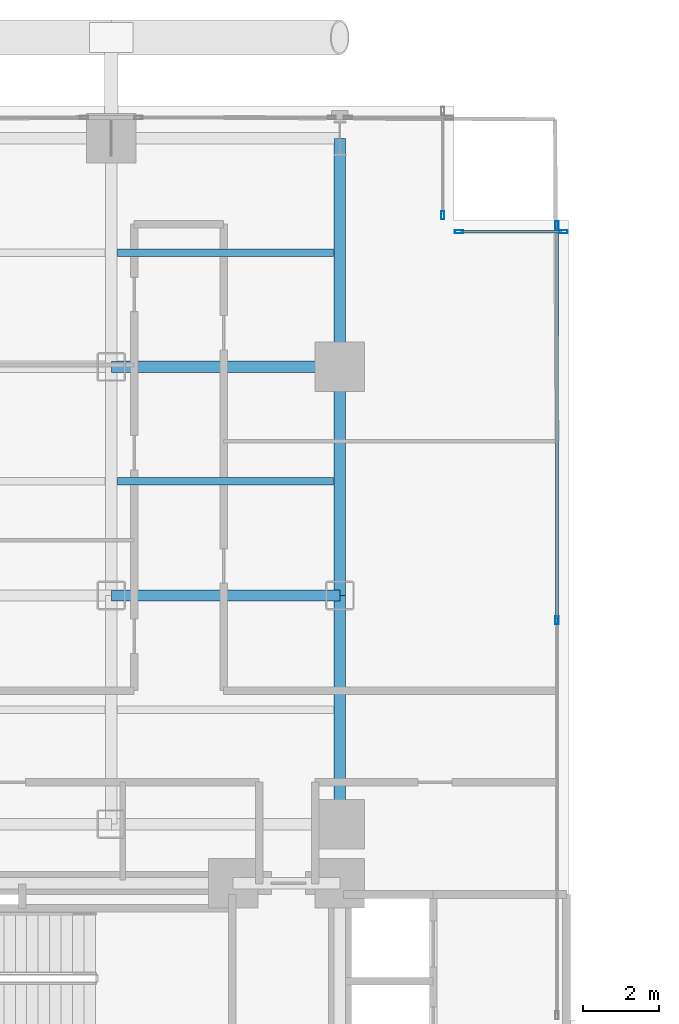
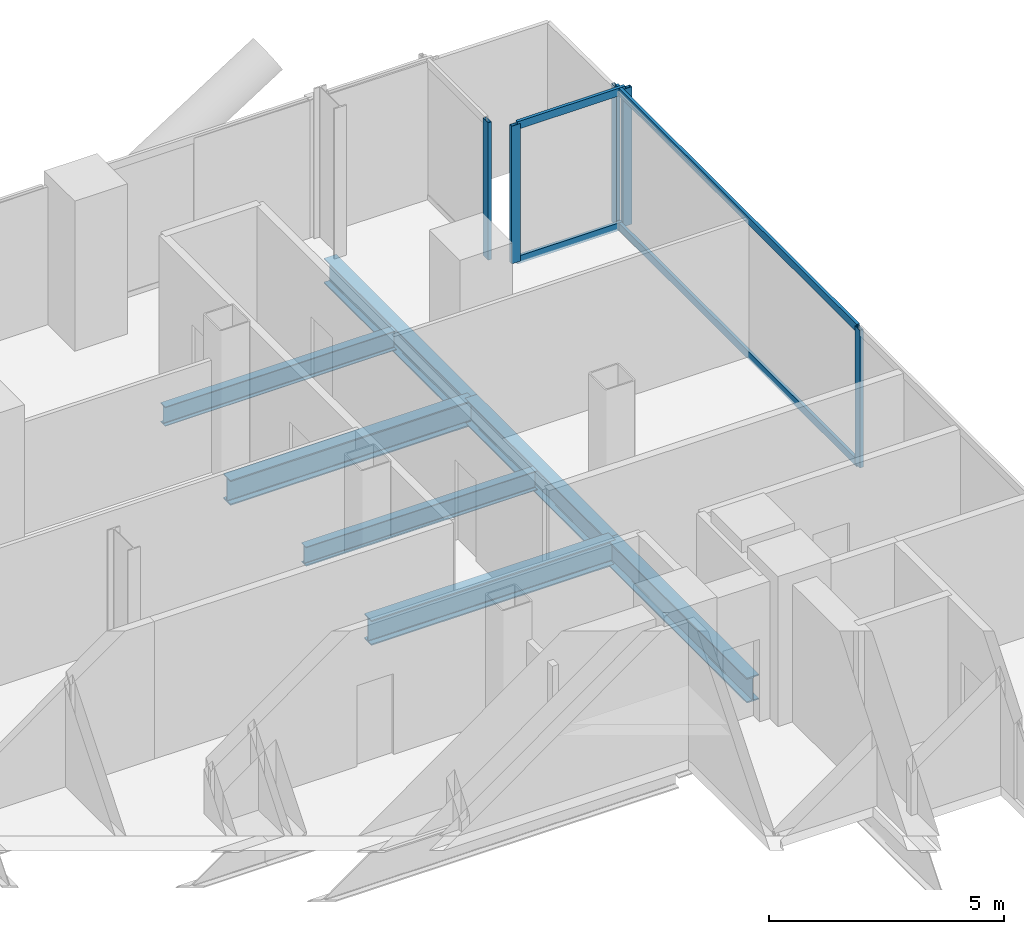
# One storey, part 15 of 27: 9 members, 7 beams, 3 elements without a shape of their own.
"""IFC4 building model written with IfcOpenShell, lengths in metres."""

import ifcopenshell
import ifcopenshell.guid

model = None  # the IFC model being written
_history = None  # IfcOwnerHistory: only IFC2X3 demands one
_inside = {}  # id of a spatial element -> (the spatial element, [elements in it])
_under = {}  # id of a project, library or spatial element -> (it, [spatial elements below it])
_declared = {}  # id of a project -> (the project, [libraries it declares])
_typed = {}  # id of a type object -> (the type object, [elements of that type])
_made_of = {}  # id of a material, layer set ... -> (it, [elements and type objects made of it])


def new_model(schema):
    """Start an empty IFC model of exactly this schema.

    Asked for "IFC4X3", IfcOpenShell would pick the latest addendum, in which some entities
    have other attributes; the version numbers below select the first issue.
    IFC2X3 requires an IfcOwnerHistory on every rooted entity: one is made here for all.
    """
    global model, _history
    if schema == "IFC4X3":
        model = ifcopenshell.file(schema_version=(4, 3, 0, 0))
    else:
        model = ifcopenshell.file(schema=schema)
    _inside.clear()
    _under.clear()
    _declared.clear()
    _typed.clear()
    _made_of.clear()
    _history = None
    if model.schema == "IFC2X3":
        org = make("IfcOrganization", Name="unknown")
        user = make(
            "IfcPersonAndOrganization",
            ThePerson=make("IfcPerson", FamilyName="unknown"),
            TheOrganization=org,
        )
        app = make(
            "IfcApplication",
            ApplicationDeveloper=org,
            Version="unknown",
            ApplicationFullName="unknown",
            ApplicationIdentifier="unknown",
        )
        _history = make(
            "IfcOwnerHistory",
            OwningUser=user,
            OwningApplication=app,
            ChangeAction="ADDED",
            CreationDate=0,
        )
    return model


def make(cls, **values):
    """One entity of the class cls with the attributes given. An attribute that is None is left unset."""
    return model.create_entity(
        cls, **{name: value for name, value in values.items() if value is not None}
    )


def rooted(cls, **values):
    """An entity with a GlobalId (a new one), such as an element, a storey or a relation."""
    return make(cls, GlobalId=ifcopenshell.guid.new(), OwnerHistory=_history, **values)


def si_unit(unit_type, name, prefix=None):
    """IfcSIUnit, for example si_unit("LENGTHUNIT", "METRE", prefix="MILLI")."""
    return make("IfcSIUnit", UnitType=unit_type, Prefix=prefix, Name=name)


def assignment(units):
    """IfcUnitAssignment: the units of a project."""
    return None if units is None else make("IfcUnitAssignment", Units=units)


def point(xyz):
    """IfcCartesianPoint."""
    return None if xyz is None else make("IfcCartesianPoint", Coordinates=xyz)


def direction(xyz):
    """IfcDirection."""
    return None if xyz is None else make("IfcDirection", DirectionRatios=xyz)


def frame(location, z_axis=None, x_axis=None):
    """IfcAxis2Placement3D, a coordinate frame: its origin and axes. An axis left out is left unset."""
    return make(
        "IfcAxis2Placement3D",
        Location=point(location),
        Axis=direction(z_axis),
        RefDirection=direction(x_axis),
    )


def frame_2d(location, x_axis=None):
    """IfcAxis2Placement2D, a coordinate frame in the plane: its origin and x axis."""
    return make(
        "IfcAxis2Placement2D", Location=point(location), RefDirection=direction(x_axis)
    )


def origin():
    """The frame at (0, 0, 0) with its axes left unset."""
    return frame((0.0, 0.0, 0.0))


def origin_2d():
    """The frame at (0, 0) in the plane with its x axis left unset."""
    return frame_2d((0.0, 0.0))


def place(relative_to, where):
    """IfcLocalPlacement: puts the frame where relative to a parent placement (None: the world)."""
    return make(
        "IfcLocalPlacement", PlacementRelTo=relative_to, RelativePlacement=where
    )


def context(
    kind, dimensions, precision=None, world=None, true_north=None, identifier=None
):
    """IfcGeometricRepresentationContext, for example the 3D "Model" context."""
    return make(
        "IfcGeometricRepresentationContext",
        ContextIdentifier=identifier,
        ContextType=kind,
        CoordinateSpaceDimension=dimensions,
        Precision=precision,
        WorldCoordinateSystem=world,
        TrueNorth=true_north,
    )


def subcontext(parent, identifier, kind, view, scale=None):
    """IfcGeometricRepresentationSubContext, for example "Body" below "Model"."""
    return make(
        "IfcGeometricRepresentationSubContext",
        ContextIdentifier=identifier,
        ContextType=kind,
        ParentContext=parent,
        TargetScale=scale,
        TargetView=view,
    )


def project(units=None, contexts=None):
    """IfcProject with its units and contexts."""
    return rooted(
        "IfcProject",
        Name="project",
        RepresentationContexts=contexts,
        UnitsInContext=assignment(units),
    )


def spatial(cls, under=None, at=None, **own):
    """A site, building, storey or space (cls), placed at a placement, below another one or the project."""
    s = rooted(cls, ObjectPlacement=at, **own)
    if under is not None:
        _under.setdefault(under.id(), (under, []))[1].append(s)
    return s


def profile(cls, at=None, kind="AREA", **sizes):
    """A parametric profile (cls). Its sizes go by their IFC names, for example OverallWidth=200.0."""
    return make(cls, ProfileType=kind, Position=at, **sizes)


def hollow_rectangle(**sizes):
    """IfcRectangleHollowProfileDef."""
    return profile("IfcRectangleHollowProfileDef", **sizes)


def i_section(**sizes):
    """IfcIShapeProfileDef."""
    return profile("IfcIShapeProfileDef", **sizes)


def extrude(swept, where, along, depth):
    """IfcExtrudedAreaSolid: the profile swept, set in the frame where, extruded along a direction by depth."""
    return make(
        "IfcExtrudedAreaSolid",
        SweptArea=swept,
        Position=where,
        ExtrudedDirection=direction(along),
        Depth=depth,
    )


def shape(context_of_items, identifier, shape_type, items):
    """IfcShapeRepresentation: the items that make up one representation, for example the "Body"."""
    return make(
        "IfcShapeRepresentation",
        ContextOfItems=context_of_items,
        RepresentationIdentifier=identifier,
        RepresentationType=shape_type,
        Items=items,
    )


def material(Name=None, Category=None):
    """IfcMaterial."""
    return make("IfcMaterial", Name=Name, Category=Category)


def layer(
    of_material, thickness, ventilated=None, Name=None, Category=None, Priority=None
):
    """IfcMaterialLayer: one layer of a wall or slab, of a material (None: an air gap)."""
    return make(
        "IfcMaterialLayer",
        Material=of_material,
        LayerThickness=thickness,
        IsVentilated=ventilated,
        Name=Name,
        Category=Category,
        Priority=Priority,
    )


def layer_set(layers, Name=None):
    """IfcMaterialLayerSet."""
    return make("IfcMaterialLayerSet", MaterialLayers=layers, LayerSetName=Name)


def material_profile(
    of_material, cross_section, Name=None, Category=None, Priority=None
):
    """IfcMaterialProfile: a cross section and its material."""
    return make(
        "IfcMaterialProfile",
        Name=Name,
        Material=of_material,
        Profile=cross_section,
        Priority=Priority,
        Category=Category,
    )


def profile_set(profiles, Name=None, composite=None):
    """IfcMaterialProfileSet."""
    return make(
        "IfcMaterialProfileSet",
        Name=Name,
        MaterialProfiles=profiles,
        CompositeProfile=composite,
    )


def made_of(thing, what):
    """Note that an element or type object is made of a material, layer set ...; save() writes the relation."""
    if what is not None:
        _made_of.setdefault(what.id(), (what, []))[1].append(thing)
    return thing


def type_object(cls, material=None, **own):
    """A type object (cls), such as IfcWallType, which elements share."""
    return made_of(rooted(cls, **own), material)


def element(
    cls,
    number,
    at=None,
    inside=None,
    cuts=None,
    type_object=None,
    material=None,
    context=None,
    identifier="Body",
    shape_type=None,
    held_by="IfcProductDefinitionShape",
    body=None,
    shapes=None,
    **own,
):
    """One element of the class cls, such as IfcWall. Its Tag is "e" and its number.

    at: its placement. inside: the storey or other place that contains it. cuts: it is an
    opening in that element (IfcRelVoidsElement). A single representation is given by context,
    identifier, shape_type and body (its items); several are given by shapes. held_by: the class
    of the entity that holds the representations. save() writes the other relations.
    """
    e = rooted(cls, Tag="e%d" % number, ObjectPlacement=at, **own)
    if body is not None:
        shapes = [shape(context, identifier, shape_type, body)]
    if shapes is not None:
        e.Representation = make(held_by, Representations=shapes)
    if inside is not None:
        _inside.setdefault(inside.id(), (inside, []))[1].append(e)
    if cuts is not None:
        rooted(
            "IfcRelVoidsElement", RelatingBuildingElement=cuts, RelatedOpeningElement=e
        )
    if type_object is not None:
        _typed.setdefault(type_object.id(), (type_object, []))[1].append(e)
    return made_of(e, material)


def aggregate(whole, parts):
    """IfcRelAggregates: a whole, such as a stair, and the parts it consists of."""
    return rooted("IfcRelAggregates", RelatingObject=whole, RelatedObjects=parts)


def save(model, path):
    """Write the relations noted so far, then the file.

    IfcRelAggregates (storeys below a building ...), IfcRelContainedInSpatialStructure (elements
    in a storey), IfcRelDefinesByType, IfcRelAssociatesMaterial and IfcRelDeclares: one each for
    every whole, place, type object, material and project.
    """
    for whole, parts in _under.values():
        aggregate(whole, parts)
    for where, things in _inside.values():
        rooted(
            "IfcRelContainedInSpatialStructure",
            RelatedElements=things,
            RelatingStructure=where,
        )
    for kind, things in _typed.values():
        rooted("IfcRelDefinesByType", RelatedObjects=things, RelatingType=kind)
    for what, things in _made_of.values():
        rooted("IfcRelAssociatesMaterial", RelatedObjects=things, RelatingMaterial=what)
    for by, libraries in _declared.values():
        rooted("IfcRelDeclares", RelatingContext=by, RelatedDefinitions=libraries)
    model.write(path)


model = new_model("IFC4")

# Units and contexts
model_context = context("Model", 3, precision=1e-05, world=origin(), true_north=direction((0.0, 1.0)))
body_context = subcontext(model_context, "Body", "Model", "MODEL_VIEW")
ifc_project = project(units=[si_unit("LENGTHUNIT", "METRE"), si_unit("AREAUNIT", "SQUARE_METRE"), si_unit("VOLUMEUNIT", "CUBIC_METRE"), si_unit("PLANEANGLEUNIT", "RADIAN"), si_unit("MASSUNIT", "GRAM", prefix="KILO"), si_unit("THERMODYNAMICTEMPERATUREUNIT", "KELVIN"), si_unit("POWERUNIT", "WATT")], contexts=[model_context])

# Site, building, storey
site_placement = place(None, origin())
site = spatial("IfcSite", under=ifc_project, at=site_placement, CompositionType="ELEMENT")
building_placement = place(site_placement, origin())
building = spatial("IfcBuilding", under=site, at=building_placement, Name="Svarakhadi Broadcast Tower", CompositionType="ELEMENT")
storey_placement = place(building_placement, frame((0.0, 0.0, 90.89990234375)))
storey = spatial("IfcBuildingStorey", under=building, at=storey_placement, Name="L21", CompositionType="ELEMENT", Elevation=90.89990234375)

# Beams
ifc_material_1 = material(Name="Steel S355J2 (IS 2062 E350C)", Category="steel")
ifc_material_profile_1 = material_profile(ifc_material_1, i_section(OverallWidth=0.199951171875, OverallDepth=0.5, WebThickness=0.01025390625, FlangeThickness=0.01611328125, FilletRadius=0.02099609375, at=origin_2d()), Name="NPB 500x200x91")
ifc_profile_set_1 = profile_set([ifc_material_profile_1], Name="Steel S355J2 (IS 2062 E350C)")
beam_type_1 = type_object("IfcBeamType", Name="Beam_NPB500", PredefinedType="BEAM", material=ifc_profile_set_1)
for number, where, z_axis, x_axis, name in (
    (1, (12.159912109375, 38.14990234375, -0.5), (1.0, 0.0, 0.0), (0.0, 1.0, 0.0), "L21 Secondary Composite Beam SB017"),
    (2, (12.159912109375, 44.14990234375, -0.5), (1.0, 0.0, 0.0), (0.0, 1.0, 0.0), "L21 Secondary Composite Beam SB018"),
):
    element("IfcBeam", number, at=place(storey_placement, frame(where, z_axis=z_axis, x_axis=x_axis)), inside=storey, type_object=beam_type_1, Name=name, PredefinedType="BEAM", context=body_context, shape_type="SweptSolid", body=[
        extrude(i_section(OverallWidth=0.199951171875, OverallDepth=0.5, WebThickness=0.01025390625, FlangeThickness=0.01611328125, FilletRadius=0.02099609375, at=origin_2d()), origin(), (0.0, 0.0, 1.0), 5.68017578125),
    ])

# Curtain wall, member
ifc_material_2 = material(Name="Anodised Bronze Aluminium AA 6063-T6", Category="aluminium")
ifc_layer = layer(ifc_material_2, 0.219970703125)
ifc_layer_set = layer_set([ifc_layer], Name="Anodised Bronze Aluminium AA 6063-T6")
curtain_wall_type = type_object("IfcCurtainWallType", Name="CW_Sys_02", PredefinedType="NOTDEFINED", material=ifc_layer_set)
curtain_wall_1_placement = place(storey_placement, origin())
curtain_wall_1 = element("IfcCurtainWall", 3, at=curtain_wall_1_placement, inside=storey, type_object=curtain_wall_type, Name="L21 Unitised Facade Curtain Wall 07", PredefinedType="NOTDEFINED")
ifc_material_profile_2 = material_profile(ifc_material_2, hollow_rectangle(XDim=0.0849609375, YDim=0.219970703125, WallThickness=0.006103515625, at=origin_2d()), Name="ALU MULLION 220x85x6")
ifc_profile_set_2 = profile_set([ifc_material_profile_2], Name="Anodised Bronze Aluminium AA 6063-T6")
member_type_1 = type_object("IfcMemberType", Name="CW_Sys_02_Mul", PredefinedType="MULLION", material=ifc_profile_set_2)
member_1_placement = place(storey_placement, frame((20.699951171875, 45.132568359375, 0.0), z_axis=(0.0, 0.0, 1.0), x_axis=(1.0, 0.0, 0.0)))
member_1 = element("IfcMember", 4, at=member_1_placement, type_object=member_type_1, Name="CW-02 mullion 2", PredefinedType="MULLION", context=body_context, shape_type="SweptSolid", body=[
    extrude(hollow_rectangle(XDim=0.0849609375, YDim=0.219970703125, WallThickness=0.006103515625, at=origin_2d()), origin(), (0.0, 0.0, 1.0), 3.5751953125),
])
aggregate(curtain_wall_1, [member_1])

# Curtain wall, members
curtain_wall_2_placement = place(storey_placement, origin())
curtain_wall_2 = element("IfcCurtainWall", 5, at=curtain_wall_2_placement, inside=storey, type_object=curtain_wall_type, Name="L21 Unitised Facade Curtain Wall 08", PredefinedType="NOTDEFINED")
member_2_placement = place(storey_placement, frame((21.132568359375, 44.699951171875, 0.0), z_axis=(0.0, 0.0, 1.0), x_axis=(0.0, 1.0, 0.0)))
member_2 = element("IfcMember", 6, at=member_2_placement, type_object=member_type_1, Name="CW-02 mullion 1", PredefinedType="MULLION", context=body_context, shape_type="SweptSolid", body=[
    extrude(hollow_rectangle(XDim=0.0849609375, YDim=0.219970703125, WallThickness=0.006103515625, at=origin_2d()), origin(), (0.0, 0.0, 1.0), 3.5751953125),
])
member_3_placement = place(storey_placement, frame((23.867431640625, 44.699951171875, 0.0), z_axis=(0.0, 0.0, 1.0), x_axis=(0.0, 1.0, 0.0)))
member_3 = element("IfcMember", 7, at=member_3_placement, type_object=member_type_1, Name="CW-02 mullion 2", PredefinedType="MULLION", context=body_context, shape_type="SweptSolid", body=[
    extrude(hollow_rectangle(XDim=0.0849609375, YDim=0.219970703125, WallThickness=0.006103515625, at=origin_2d()), origin(), (0.0, 0.0, 1.0), 3.5751953125),
])

curtain_wall_3_placement = place(storey_placement, origin())
curtain_wall_3 = element("IfcCurtainWall", 8, at=curtain_wall_3_placement, inside=storey, type_object=curtain_wall_type, Name="L21 Unitised Facade Curtain Wall 09", PredefinedType="NOTDEFINED")
member_4_placement = place(storey_placement, frame((23.699951171875, 44.867431640625, 0.0), z_axis=(0.0, 0.0, 1.0), x_axis=(1.0, 0.0, 0.0)))
member_4 = element("IfcMember", 9, at=member_4_placement, type_object=member_type_1, Name="CW-02 mullion 1", PredefinedType="MULLION", context=body_context, shape_type="SweptSolid", body=[
    extrude(hollow_rectangle(XDim=0.0849609375, YDim=0.219970703125, WallThickness=0.006103515625, at=origin_2d()), origin(), (0.0, 0.0, 1.0), 3.5751953125),
])
member_5_placement = place(storey_placement, frame((23.699951171875, 34.5, 0.0), z_axis=(0.0, 0.0, 1.0), x_axis=(1.0, 0.0, 0.0)))
member_5 = element("IfcMember", 10, at=member_5_placement, type_object=member_type_1, Name="CW-02 mullion 2", PredefinedType="MULLION", context=body_context, shape_type="SweptSolid", body=[
    extrude(hollow_rectangle(XDim=0.0849609375, YDim=0.219970703125, WallThickness=0.006103515625, at=origin_2d()), origin(), (0.0, 0.0, 1.0), 3.5751953125),
])

# Member
ifc_material_profile_3 = material_profile(ifc_material_2, hollow_rectangle(XDim=0.074951171875, YDim=0.199951171875, WallThickness=0.0048828125, at=origin_2d()), Name="ALU TRANSOM 200x75x5")
ifc_profile_set_3 = profile_set([ifc_material_profile_3], Name="Anodised Bronze Aluminium AA 6063-T6")
member_type_2 = type_object("IfcMemberType", Name="CW_Sys_02_Trn", PredefinedType="USERDEFINED", material=ifc_profile_set_3)
member_6_placement = place(storey_placement, frame((21.175048828125, 44.699951171875, 0.03759765625), z_axis=(1.0, 0.0, 0.0), x_axis=(0.0, 1.0, 0.0)))
member_6 = element("IfcMember", 11, at=member_6_placement, type_object=member_type_2, Name="CW-02 transom 1.1", ObjectType="TRANSOM", PredefinedType="USERDEFINED", context=body_context, shape_type="SweptSolid", body=[
    extrude(hollow_rectangle(XDim=0.074951171875, YDim=0.199951171875, WallThickness=0.0048828125, at=origin_2d()), origin(), (0.0, 0.0, 1.0), 2.64990234375),
])

member_7_placement = place(storey_placement, frame((21.175048828125, 44.699951171875, 3.53759765625), z_axis=(1.0, 0.0, 0.0), x_axis=(0.0, 1.0, 0.0)))
member_7 = element("IfcMember", 12, at=member_7_placement, type_object=member_type_2, Name="CW-02 transom 1.2", ObjectType="TRANSOM", PredefinedType="USERDEFINED", context=body_context, shape_type="SweptSolid", body=[
    extrude(hollow_rectangle(XDim=0.074951171875, YDim=0.199951171875, WallThickness=0.0048828125, at=origin_2d()), origin(), (0.0, 0.0, 1.0), 2.64990234375),
])

aggregate(curtain_wall_2, [member_2, member_3, member_6, member_7])

member_8_placement = place(storey_placement, frame((23.699951171875, 44.824951171875, 0.03759765625), z_axis=(0.0, -1.0, 0.0), x_axis=(1.0, 0.0, 0.0)))
member_8 = element("IfcMember", 13, at=member_8_placement, type_object=member_type_2, Name="CW-02 transom 1.1", ObjectType="TRANSOM", PredefinedType="USERDEFINED", context=body_context, shape_type="SweptSolid", body=[
    extrude(hollow_rectangle(XDim=0.074951171875, YDim=0.199951171875, WallThickness=0.0048828125, at=origin_2d()), origin(), (0.0, 0.0, 1.0), 10.282470703125),
])

member_9_placement = place(storey_placement, frame((23.699951171875, 44.824951171875, 3.53759765625), z_axis=(0.0, -1.0, 0.0), x_axis=(1.0, 0.0, 0.0)))
member_9 = element("IfcMember", 14, at=member_9_placement, type_object=member_type_2, Name="CW-02 transom 1.2", ObjectType="TRANSOM", PredefinedType="USERDEFINED", context=body_context, shape_type="SweptSolid", body=[
    extrude(hollow_rectangle(XDim=0.074951171875, YDim=0.199951171875, WallThickness=0.0048828125, at=origin_2d()), origin(), (0.0, 0.0, 1.0), 10.282470703125),
])

aggregate(curtain_wall_3, [member_4, member_5, member_8, member_9])

# Beams
ifc_material_profile_4 = material_profile(ifc_material_1, i_section(OverallWidth=0.300048828125, OverallDepth=0.64990234375, WebThickness=0.01611328125, FlangeThickness=0.031005859375, FilletRadius=0.027099609375, at=origin_2d()), Name="WPB 650x300x225")
ifc_profile_set_4 = profile_set([ifc_material_profile_4], Name="Steel S355J2 (IS 2062 E350C)")
beam_type_2 = type_object("IfcBeamType", Name="Girder_WPB650", PredefinedType="USERDEFINED", material=ifc_profile_set_4)
for number, where, z_axis, x_axis, name in (
    (15, (12.0, 35.14990234375, -0.574951171875), (1.0, 0.0, 0.0), (0.0, 1.0, 0.0), "L21 Primary E-W Girder G039"),
    (16, (12.0, 41.14990234375, -0.574951171875), (1.0, 0.0, 0.0), (0.0, 1.0, 0.0), "L21 Primary E-W Girder G042"),
    (17, (18.0, 29.14990234375, -0.574951171875), (0.0, 1.0, 0.0), (-1.0, 0.0, 0.0), "L21 Primary N-S Girder G068"),
    (18, (18.0, 35.14990234375, -0.574951171875), (0.0, 1.0, 0.0), (-1.0, 0.0, 0.0), "L21 Primary N-S Girder G069"),
    (19, (18.0, 41.14990234375, -0.574951171875), (0.0, 1.0, 0.0), (-1.0, 0.0, 0.0), "L21 Primary N-S Girder G070"),
):
    element("IfcBeam", number, at=place(storey_placement, frame(where, z_axis=z_axis, x_axis=x_axis)), inside=storey, type_object=beam_type_2, Name=name, ObjectType="GIRDER", PredefinedType="USERDEFINED", context=body_context, shape_type="SweptSolid", body=[
        extrude(i_section(OverallWidth=0.300048828125, OverallDepth=0.64990234375, WebThickness=0.01611328125, FlangeThickness=0.031005859375, FilletRadius=0.027099609375, at=origin_2d()), origin(), (0.0, 0.0, 1.0), 6.0),
    ])

save(model, "model.ifc")
